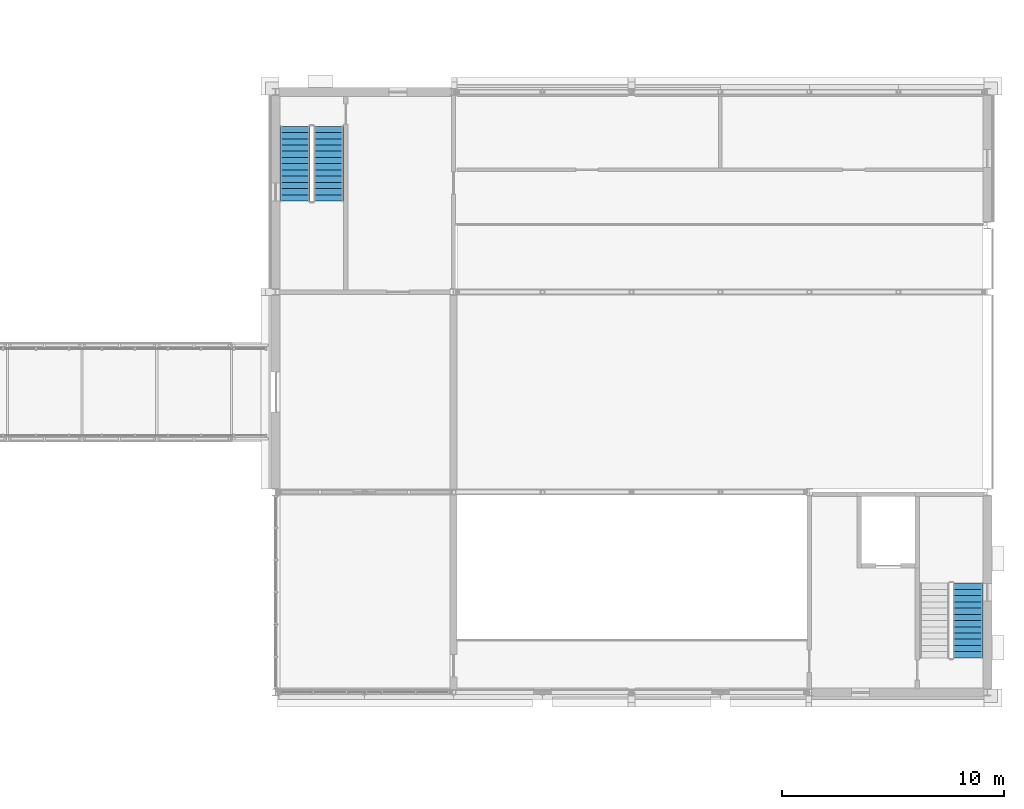
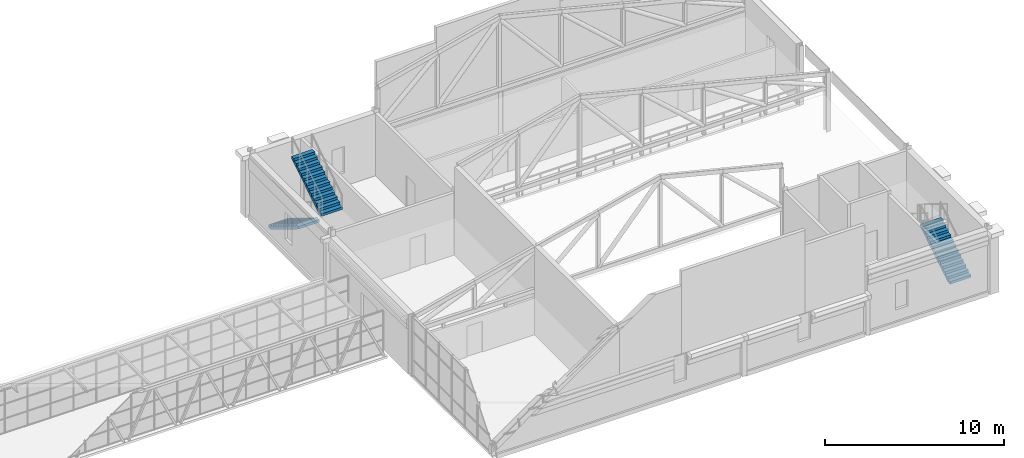
# One storey, part 102 of 149: 3 stair flights, 2 elements without a shape of their own.
"""IFC4 building model written with IfcOpenShell, lengths in metres."""

from ifc_helpers import new_model, si_unit, direction, frame, origin, place, context, subcontext, project, spatial, polyline, outline, extrude, material, type_object, element, aggregate, save


model = new_model("IFC4")

# Units and contexts
model_context = context("Model", 3, precision=1e-05, world=origin(), true_north=direction((0.0, 1.0)))
body_context = subcontext(model_context, "Body", "Model", "MODEL_VIEW")
ifc_project = project(units=[si_unit("LENGTHUNIT", "METRE"), si_unit("AREAUNIT", "SQUARE_METRE"), si_unit("VOLUMEUNIT", "CUBIC_METRE"), si_unit("PLANEANGLEUNIT", "RADIAN"), si_unit("MASSUNIT", "GRAM", prefix="KILO")], contexts=[model_context])

# Site, building, storey
site_placement = place(None, origin())
site = spatial("IfcSite", under=ifc_project, at=site_placement, CompositionType="ELEMENT")
building_placement = place(site_placement, origin())
building = spatial("IfcBuilding", under=site, at=building_placement, Name="Kallimachos Central Library", CompositionType="ELEMENT")
storey_placement = place(building_placement, frame((0.0, 0.0, 9.89990234375)))
storey = spatial("IfcBuildingStorey", under=building, at=storey_placement, Name="L02", CompositionType="ELEMENT", Elevation=9.89990234375)

# Stair, stair flight
ifc_material_1 = material(Name="Concrete C30/37", Category="concrete")
stair_type = type_object("IfcStairType", Name="Stair V3", PredefinedType="HALF_TURN_STAIR", material=ifc_material_1)
stair_1_placement = place(storey_placement, origin())
stair_1 = element("IfcStair", 1, at=stair_1_placement, inside=storey, type_object=stair_type, Name="L02 stair ST7", PredefinedType="HALF_TURN_STAIR")
ifc_material_2 = material(Name="Concrete C30/37", Category="concrete")
stair_flight_type = type_object("IfcStairFlightType", Name="Stair flight V3", PredefinedType="STRAIGHT", material=ifc_material_2)
stair_flight_1_placement = place(storey_placement, frame((169.125, 88.550048828125, 0.0), z_axis=(0.0, 0.0, 1.0), x_axis=(0.0, 1.0, 0.0)))
stair_flight_1 = element("IfcStairFlight", 2, at=stair_flight_1_placement, type_object=stair_flight_type, Name="ST7 flight 1", NumberOfRisers=13, NumberOfTreads=12, PredefinedType="STRAIGHT", RiserHeight=0.173076923, TreadLength=0.28, context=body_context, shape_type="SweptSolid", body=[
    extrude(outline(polyline([(0.0, 0.0), (0.0, 0.173095703125), (0.280029296875, 0.173095703125), (0.280029296875, 0.34619140625), (0.56005859375, 0.34619140625), (0.56005859375, 0.519287109375), (0.840087890625, 0.519287109375), (0.840087890625, 0.6923828125), (1.1201171875, 0.6923828125), (1.1201171875, 0.865478515625), (1.39990234375, 0.865478515625), (1.39990234375, 1.03857421875), (1.679931640625, 1.03857421875), (1.679931640625, 1.21142578125), (1.9599609375, 1.21142578125), (1.9599609375, 1.384521484375), (2.239990234375, 1.384521484375), (2.239990234375, 1.5576171875), (2.52001953125, 1.5576171875), (2.52001953125, 1.730712890625), (2.800048828125, 1.730712890625), (2.800048828125, 1.90380859375), (3.080078125, 1.90380859375), (3.080078125, 2.076904296875), (3.360107421875, 2.076904296875), (3.360107421875, 2.25), (3.360107421875, 1.900634765625), (0.28515625, 0.0), (0.0, 0.0)])), frame((0.0, 0.675048828125, 0.0), z_axis=(0.0, -1.0, 0.0), x_axis=(1.0, 0.0, 0.0)), (0.0, 0.0, 1.0), 1.35009765625),
])
aggregate(stair_1, [stair_flight_1])

# Stair, stair flights
stair_2_placement = place(storey_placement, origin())
stair_2 = element("IfcStair", 3, at=stair_2_placement, inside=storey, type_object=stair_type, Name="L02 stair ST8", PredefinedType="HALF_TURN_STAIR")
stair_flight_2_placement = place(storey_placement, frame((138.875, 112.449951171875, 0.0), z_axis=(0.0, 0.0, 1.0), x_axis=(0.0, -1.0, 0.0)))
stair_flight_2 = element("IfcStairFlight", 4, at=stair_flight_2_placement, type_object=stair_flight_type, Name="ST8 flight 1", NumberOfRisers=13, NumberOfTreads=12, PredefinedType="STRAIGHT", RiserHeight=0.173076923, TreadLength=0.28, context=body_context, shape_type="SweptSolid", body=[
    extrude(outline(polyline([(0.0, 0.0), (0.0, 0.173095703125), (0.280029296875, 0.173095703125), (0.280029296875, 0.34619140625), (0.56005859375, 0.34619140625), (0.56005859375, 0.519287109375), (0.840087890625, 0.519287109375), (0.840087890625, 0.6923828125), (1.1201171875, 0.6923828125), (1.1201171875, 0.865478515625), (1.39990234375, 0.865478515625), (1.39990234375, 1.03857421875), (1.679931640625, 1.03857421875), (1.679931640625, 1.21142578125), (1.9599609375, 1.21142578125), (1.9599609375, 1.384521484375), (2.239990234375, 1.384521484375), (2.239990234375, 1.5576171875), (2.52001953125, 1.5576171875), (2.52001953125, 1.730712890625), (2.800048828125, 1.730712890625), (2.800048828125, 1.90380859375), (3.080078125, 1.90380859375), (3.080078125, 2.076904296875), (3.360107421875, 2.076904296875), (3.360107421875, 2.25), (3.360107421875, 1.900634765625), (0.28515625, 0.0), (0.0, 0.0)])), frame((0.0, 0.675048828125, 0.0), z_axis=(0.0, -1.0, 0.0), x_axis=(1.0, 0.0, 0.0)), (0.0, 0.0, 1.0), 1.35009765625),
])
stair_flight_3_placement = place(storey_placement, frame((140.375, 109.090087890625, 2.25), z_axis=(0.0, 0.0, 1.0), x_axis=(0.0, 1.0, 0.0)))
stair_flight_3 = element("IfcStairFlight", 5, at=stair_flight_3_placement, type_object=stair_flight_type, Name="ST8 flight 2", NumberOfRisers=13, NumberOfTreads=12, PredefinedType="STRAIGHT", RiserHeight=0.173076923, TreadLength=0.28, context=body_context, shape_type="SweptSolid", body=[
    extrude(outline(polyline([(0.0, 0.0), (0.0, 0.173095703125), (0.280029296875, 0.173095703125), (0.280029296875, 0.34619140625), (0.56005859375, 0.34619140625), (0.56005859375, 0.519287109375), (0.840087890625, 0.519287109375), (0.840087890625, 0.6923828125), (1.1201171875, 0.6923828125), (1.1201171875, 0.865478515625), (1.39990234375, 0.865478515625), (1.39990234375, 1.03857421875), (1.679931640625, 1.03857421875), (1.679931640625, 1.21142578125), (1.9599609375, 1.21142578125), (1.9599609375, 1.384521484375), (2.239990234375, 1.384521484375), (2.239990234375, 1.5576171875), (2.52001953125, 1.5576171875), (2.52001953125, 1.730712890625), (2.800048828125, 1.730712890625), (2.800048828125, 1.90380859375), (3.080078125, 1.90380859375), (3.080078125, 2.076904296875), (3.360107421875, 2.076904296875), (3.360107421875, 2.25), (3.360107421875, 1.900634765625), (0.28515625, 0.0), (0.0, 0.0)])), frame((0.0, 0.675048828125, 0.0), z_axis=(0.0, -1.0, 0.0), x_axis=(1.0, 0.0, 0.0)), (0.0, 0.0, 1.0), 1.35009765625),
])
aggregate(stair_2, [stair_flight_2, stair_flight_3])

save(model, "model.ifc")
